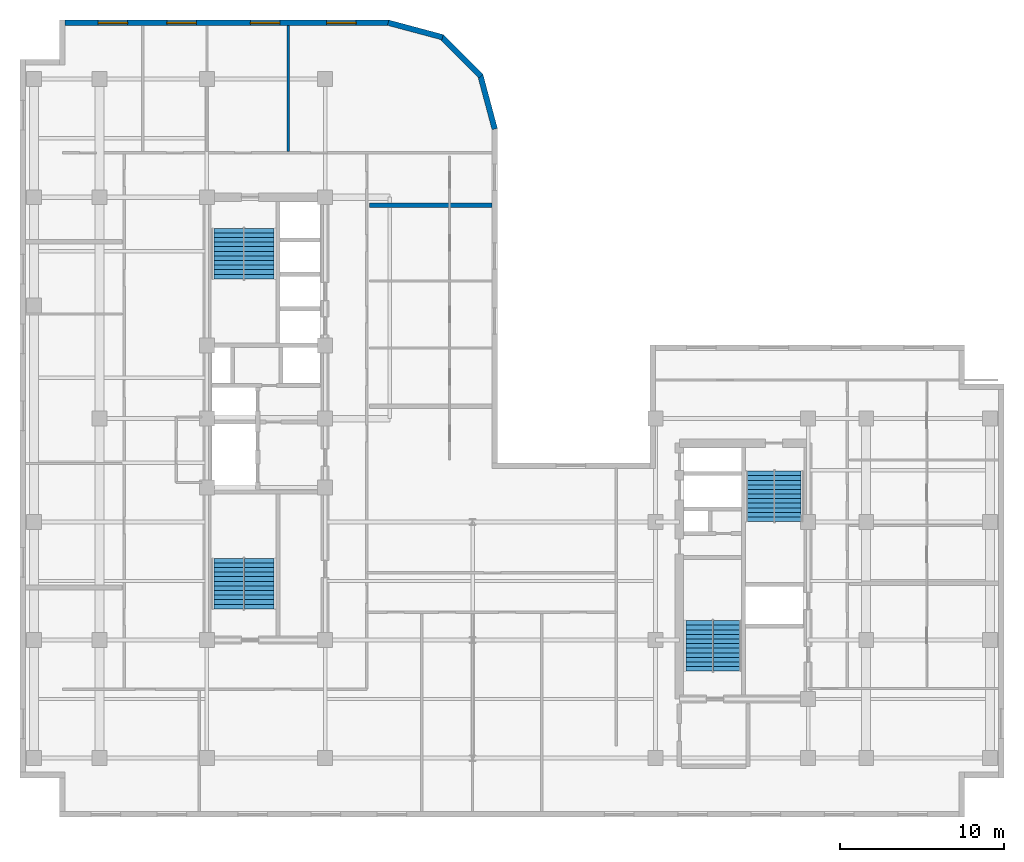
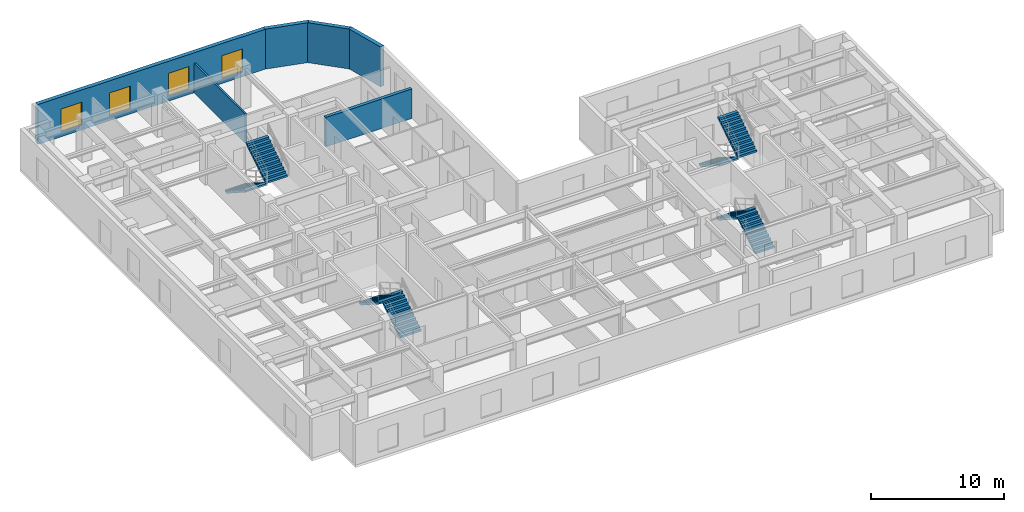
# One storey, part 8 of 11: 8 stair flights, 6 walls, 4 windows, 4 openings, 4 elements without a shape of their own.
"""IFC4 building model written with IfcOpenShell, lengths in metres."""

from ifc_helpers import new_model, entity, si_unit, converted_unit, direction, frame, origin_with_axes, origin_2d_with_axis, place, context, subcontext, project, spatial, polyline, rectangle, outline, extrude, material, layer, layer_set, type_object, element, fill, aggregate, save


model = new_model("IFC4")

# Units and contexts
model_context = context("Model", 3, precision=1e-05, world=origin_with_axes(), true_north=direction((0.0, 1.0)))
body_context = subcontext(model_context, "Body", "Model", "MODEL_VIEW")
ifc_project = project(units=[si_unit("LENGTHUNIT", "METRE"), si_unit("AREAUNIT", "SQUARE_METRE"), si_unit("VOLUMEUNIT", "CUBIC_METRE"), converted_unit("PLANEANGLEUNIT", "DEGREE", entity("IfcPlaneAngleMeasure", 0.017453292519943295), si_unit("PLANEANGLEUNIT", "RADIAN"), dimensions=[0, 0, 0, 0, 0, 0, 0]), si_unit("MASSUNIT", "GRAM", prefix="KILO"), si_unit("THERMODYNAMICTEMPERATUREUNIT", "KELVIN")], contexts=[model_context])

# Site, building, storey
site_placement = place(None, origin_with_axes())
site = spatial("IfcSite", under=ifc_project, at=site_placement, CompositionType="ELEMENT")
building_placement = place(site_placement, origin_with_axes())
building = spatial("IfcBuilding", under=site, at=building_placement, Name="Varnlund Millrace Tower", CompositionType="ELEMENT")
storey_placement = place(building_placement, frame((0.0, 0.0, 200.4), z_axis=(0.0, 0.0, 1.0), x_axis=(1.0, 0.0, 0.0)))
storey = spatial("IfcBuildingStorey", under=building, at=storey_placement, Name="L49", CompositionType="ELEMENT", Elevation=200.4)

# Wall, openings, windows
ifc_material_1 = material(Name="Precast concrete C50/60", Category="concrete")
ifc_layer_1 = layer(ifc_material_1, 0.34, Name="Precast concrete C50/60")
ifc_layer_set_1 = layer_set([ifc_layer_1], Name="Precast concrete C50/60")
wall_type_1 = type_object("IfcWallType", Name="Type-ExtWall-Precast-Upper-340", PredefinedType="SOLIDWALL", material=ifc_layer_set_1)
wall_1_placement = place(storey_placement, frame((2.74, 48.43, 0.0), z_axis=(0.0, 0.0, 1.0), x_axis=(1.0, 0.0, 0.0)))
wall_1 = element("IfcWall", 1, at=wall_1_placement, inside=storey, type_object=wall_type_1, Name="Type-ExtWall-Precast-Upper-340", PredefinedType="SOLIDWALL", context=body_context, shape_type="SweptSolid", body=[
    extrude(outline(polyline([(0.0, -0.17), (19.772, -0.17), (19.772, 0.17), (0.0, 0.17), (0.0, -0.17)])), origin_with_axes(), (0.0, 0.0, 1.0), 3.66),
])
opening_1_placement = place(wall_1_placement, frame((2.922, 0.0, 0.45), z_axis=(0.0, 0.0, 1.0), x_axis=(1.0, 0.0, 0.0)))
opening_1 = element("IfcOpeningElement", 2, at=opening_1_placement, cuts=wall_1, Name="Opening L49:WN-22", PredefinedType="OPENING", context=body_context, shape_type="SweptSolid", body=[
    extrude(rectangle(XDim=1.8, YDim=0.36, at=origin_2d_with_axis()), origin_with_axes(), (0.0, 0.0, 1.0), 2.1),
])
opening_2_placement = place(wall_1_placement, frame((7.114, 0.0, 0.45), z_axis=(0.0, 0.0, 1.0), x_axis=(1.0, 0.0, 0.0)))
opening_2 = element("IfcOpeningElement", 3, at=opening_2_placement, cuts=wall_1, Name="Opening L49:WN-23", PredefinedType="OPENING", context=body_context, shape_type="SweptSolid", body=[
    extrude(rectangle(XDim=1.8, YDim=0.36, at=origin_2d_with_axis()), origin_with_axes(), (0.0, 0.0, 1.0), 2.1),
])
opening_3_placement = place(wall_1_placement, frame((12.207, 0.0, 0.45), z_axis=(0.0, 0.0, 1.0), x_axis=(1.0, 0.0, 0.0)))
opening_3 = element("IfcOpeningElement", 4, at=opening_3_placement, cuts=wall_1, Name="Opening L49:WN-24", PredefinedType="OPENING", context=body_context, shape_type="SweptSolid", body=[
    extrude(rectangle(XDim=1.8, YDim=0.36, at=origin_2d_with_axis()), origin_with_axes(), (0.0, 0.0, 1.0), 2.1),
])
opening_4_placement = place(wall_1_placement, frame((16.85, 0.0, 0.45), z_axis=(0.0, 0.0, 1.0), x_axis=(1.0, 0.0, 0.0)))
opening_4 = element("IfcOpeningElement", 5, at=opening_4_placement, cuts=wall_1, Name="Opening L49:WN-25", PredefinedType="OPENING", context=body_context, shape_type="SweptSolid", body=[
    extrude(rectangle(XDim=1.8, YDim=0.36, at=origin_2d_with_axis()), origin_with_axes(), (0.0, 0.0, 1.0), 2.1),
])
ifc_material_2 = material(Name="Argon low-e triple glazing in thermally broken bronze frame", Category="glass")
window_type = type_object("IfcWindowType", Name="Type-Window-Punched-1800X2100", PartitioningType="SINGLE_PANEL", PredefinedType="WINDOW", material=ifc_material_2)
window_1_placement = place(wall_1_placement, frame((2.922, 0.0, 0.45), z_axis=(0.0, 0.0, 1.0), x_axis=(1.0, 0.0, 0.0)))
window_1 = element("IfcWindow", 6, at=window_1_placement, inside=storey, type_object=window_type, Name="Type-Window-Punched-1800X2100", OverallHeight=2.1, OverallWidth=1.8, PredefinedType="WINDOW", context=body_context, shape_type="SweptSolid", body=[
    extrude(rectangle(XDim=1.8, YDim=0.09, at=origin_2d_with_axis()), origin_with_axes(), (0.0, 0.0, 1.0), 2.1),
])
fill(opening_1, window_1)
window_2_placement = place(wall_1_placement, frame((7.114, 0.0, 0.45), z_axis=(0.0, 0.0, 1.0), x_axis=(1.0, 0.0, 0.0)))
window_2 = element("IfcWindow", 7, at=window_2_placement, inside=storey, type_object=window_type, Name="Type-Window-Punched-1800X2100", OverallHeight=2.1, OverallWidth=1.8, PredefinedType="WINDOW", context=body_context, shape_type="SweptSolid", body=[
    extrude(rectangle(XDim=1.8, YDim=0.09, at=origin_2d_with_axis()), origin_with_axes(), (0.0, 0.0, 1.0), 2.1),
])
fill(opening_2, window_2)
window_3_placement = place(wall_1_placement, frame((12.207, 0.0, 0.45), z_axis=(0.0, 0.0, 1.0), x_axis=(1.0, 0.0, 0.0)))
window_3 = element("IfcWindow", 8, at=window_3_placement, inside=storey, type_object=window_type, Name="Type-Window-Punched-1800X2100", OverallHeight=2.1, OverallWidth=1.8, PredefinedType="WINDOW", context=body_context, shape_type="SweptSolid", body=[
    extrude(rectangle(XDim=1.8, YDim=0.09, at=origin_2d_with_axis()), origin_with_axes(), (0.0, 0.0, 1.0), 2.1),
])
fill(opening_3, window_3)
window_4_placement = place(wall_1_placement, frame((16.85, 0.0, 0.45), z_axis=(0.0, 0.0, 1.0), x_axis=(1.0, 0.0, 0.0)))
window_4 = element("IfcWindow", 9, at=window_4_placement, inside=storey, type_object=window_type, Name="Type-Window-Punched-1800X2100", OverallHeight=2.1, OverallWidth=1.8, PredefinedType="WINDOW", context=body_context, shape_type="SweptSolid", body=[
    extrude(rectangle(XDim=1.8, YDim=0.09, at=origin_2d_with_axis()), origin_with_axes(), (0.0, 0.0, 1.0), 2.1),
])
fill(opening_4, window_4)

# Walls
wall_2_placement = place(storey_placement, frame((22.449, 48.441, 0.0), z_axis=(0.0, 0.0, 1.0), x_axis=(0.965949, -0.258731, 0.0)))
element("IfcWall", 10, at=wall_2_placement, inside=storey, type_object=wall_type_1, Name="Type-ExtWall-Precast-Upper-340", PredefinedType="SOLIDWALL", context=body_context, shape_type="SweptSolid", body=[
    extrude(outline(polyline([(0.0, -0.17), (3.435998, -0.17), (3.435998, 0.17), (0.0, 0.17), (0.0, -0.17)])), origin_with_axes(), (0.0, 0.0, 1.0), 3.66),
])
wall_3_placement = place(storey_placement, frame((25.678, 47.61, 0.0), z_axis=(0.0, 0.0, 1.0), x_axis=(0.707107, -0.707107, 0.0)))
element("IfcWall", 11, at=wall_3_placement, inside=storey, type_object=wall_type_1, Name="Type-ExtWall-Precast-Upper-340", PredefinedType="SOLIDWALL", context=body_context, shape_type="SweptSolid", body=[
    extrude(outline(polyline([(0.0, -0.17), (3.436539, -0.17), (3.436539, 0.17), (0.0, 0.17), (0.0, -0.17)])), origin_with_axes(), (0.0, 0.0, 1.0), 3.66),
])
wall_4_placement = place(storey_placement, frame((28.059, 45.275, 0.0), z_axis=(0.0, 0.0, 1.0), x_axis=(0.258731, -0.965949, 0.0)))
element("IfcWall", 12, at=wall_4_placement, inside=storey, type_object=wall_type_1, Name="Type-ExtWall-Precast-Upper-340", PredefinedType="SOLIDWALL", context=body_context, shape_type="SweptSolid", body=[
    extrude(outline(polyline([(0.0, -0.17), (3.435998, -0.17), (3.435998, 0.17), (0.0, 0.17), (0.0, -0.17)])), origin_with_axes(), (0.0, 0.0, 1.0), 3.66),
])
ifc_material_3 = material(Name="Double-stud STC-60 conference acoustic partition", Category="gypsum")
ifc_layer_2 = layer(ifc_material_3, 0.28, Name="Double-stud STC-60 conference acoustic partition")
ifc_layer_set_2 = layer_set([ifc_layer_2], Name="Double-stud STC-60 conference acoustic partition")
wall_type_2 = type_object("IfcWallType", Name="Type-Partition-Acoustic-280", PredefinedType="PARTITIONING", material=ifc_layer_set_2)
wall_5_placement = place(storey_placement, frame((21.3, 37.314, 0.0), z_axis=(0.0, 0.0, 1.0), x_axis=(1.0, 0.0, 0.0)))
element("IfcWall", 13, at=wall_5_placement, inside=storey, type_object=wall_type_2, Name="Type-Partition-Acoustic-280", PredefinedType="PARTITIONING", context=body_context, shape_type="SweptSolid", body=[
    extrude(outline(polyline([(0.0, -0.14), (7.477, -0.14), (7.477, 0.14), (0.0, 0.14), (0.0, -0.14)])), origin_with_axes(), (0.0, 0.0, 1.0), 2.7),
])
ifc_material_4 = material(Name="Acoustic STC-50 gypsum board partition", Category="gypsum")
ifc_layer_3 = layer(ifc_material_4, 0.15, Name="Acoustic STC-50 gypsum board partition")
ifc_layer_set_3 = layer_set([ifc_layer_3], Name="Acoustic STC-50 gypsum board partition")
wall_type_3 = type_object("IfcWallType", Name="Type-Partition-Demising-150", PredefinedType="PARTITIONING", material=ifc_layer_set_3)
wall_6_placement = place(storey_placement, frame((16.352, 40.6, 0.0), z_axis=(0.0, 0.0, 1.0), x_axis=(0.0, 1.0, 0.0)))
element("IfcWall", 14, at=wall_6_placement, inside=storey, type_object=wall_type_3, Name="Type-Partition-Demising-150", PredefinedType="PARTITIONING", context=body_context, shape_type="SweptSolid", body=[
    extrude(outline(polyline([(0.0, -0.075), (7.665, -0.075), (7.665, 0.075), (0.0, 0.075), (0.0, -0.075)])), origin_with_axes(), (0.0, 0.0, 1.0), 2.7),
])

# Stair, stair flights
ifc_material_5 = material(Name="Concrete C50/60", Category="concrete")
stair_type_1 = type_object("IfcStairType", Name="Type-Stair-Dogleg-165-390", PredefinedType="HALF_TURN_STAIR", material=ifc_material_5)
stair_1_placement = place(storey_placement, origin_with_axes())
stair_1 = element("IfcStair", 15, at=stair_1_placement, inside=storey, type_object=stair_type_1, Name="Type-Stair-Dogleg-165-390", PredefinedType="HALF_TURN_STAIR")
stair_flight_type_1 = type_object("IfcStairFlightType", Name="Type-Dogleg-Run-165-390", PredefinedType="STRAIGHT", material=ifc_material_1)
stair_flight_1_placement = place(storey_placement, frame((42.225, 8.9, 0.0), z_axis=(1.0, 0.0, 0.0), x_axis=(0.0, 1.0, 0.0)))
stair_flight_1 = element("IfcStairFlight", 16, at=stair_flight_1_placement, type_object=stair_flight_type_1, Name="ST-B1 flight 1", NumberOfRisers=11, NumberOfTreads=11, PredefinedType="STRAIGHT", RiserHeight=0.177273, TreadLength=0.28, context=body_context, shape_type="SweptSolid", body=[
    extrude(outline(polyline([(0.0, 0.0), (0.0, 0.177273), (0.28, 0.177273), (0.28, 0.354545), (0.56, 0.354545), (0.56, 0.531818), (0.84, 0.531818), (0.84, 0.709091), (1.12, 0.709091), (1.12, 0.886364), (1.4, 0.886364), (1.4, 1.063636), (1.68, 1.063636), (1.68, 1.240909), (1.96, 1.240909), (1.96, 1.418182), (2.24, 1.418182), (2.24, 1.595454), (2.52, 1.595454), (2.52, 1.772727), (2.8, 1.772727), (2.8, 1.95), (3.08, 1.95), (3.08, 1.8), (0.28, 0.0), (0.0, 0.0)])), origin_with_axes(), (0.0, 0.0, 1.0), 1.65),
])
stair_flight_2_placement = place(storey_placement, frame((42.275, 11.98, 1.95), z_axis=(-1.0, 0.0, 0.0), x_axis=(0.0, -1.0, 0.0)))
stair_flight_2 = element("IfcStairFlight", 17, at=stair_flight_2_placement, type_object=stair_flight_type_1, Name="ST-B1 flight 2", NumberOfRisers=11, NumberOfTreads=11, PredefinedType="STRAIGHT", RiserHeight=0.177273, TreadLength=0.28, context=body_context, shape_type="SweptSolid", body=[
    extrude(outline(polyline([(0.0, 0.0), (0.0, 0.177273), (0.28, 0.177273), (0.28, 0.354545), (0.56, 0.354545), (0.56, 0.531818), (0.84, 0.531818), (0.84, 0.709091), (1.12, 0.709091), (1.12, 0.886364), (1.4, 0.886364), (1.4, 1.063636), (1.68, 1.063636), (1.68, 1.240909), (1.96, 1.240909), (1.96, 1.418182), (2.24, 1.418182), (2.24, 1.595454), (2.52, 1.595454), (2.52, 1.772727), (2.8, 1.772727), (2.8, 1.95), (3.08, 1.95), (3.08, 1.8), (0.28, 0.0), (0.0, 0.0)])), origin_with_axes(), (0.0, 0.0, 1.0), 1.65),
])
aggregate(stair_1, [stair_flight_1, stair_flight_2])

stair_2_placement = place(storey_placement, origin_with_axes())
stair_2 = element("IfcStair", 18, at=stair_2_placement, inside=storey, type_object=stair_type_1, Name="Type-Stair-Dogleg-165-390", PredefinedType="HALF_TURN_STAIR")
stair_flight_3_placement = place(storey_placement, frame((46.025, 21.1, 0.0), z_axis=(-1.0, 0.0, 0.0), x_axis=(0.0, -1.0, 0.0)))
stair_flight_3 = element("IfcStairFlight", 19, at=stair_flight_3_placement, type_object=stair_flight_type_1, Name="ST-B2 flight 1", NumberOfRisers=11, NumberOfTreads=11, PredefinedType="STRAIGHT", RiserHeight=0.177273, TreadLength=0.28, context=body_context, shape_type="SweptSolid", body=[
    extrude(outline(polyline([(0.0, 0.0), (0.0, 0.177273), (0.28, 0.177273), (0.28, 0.354545), (0.56, 0.354545), (0.56, 0.531818), (0.84, 0.531818), (0.84, 0.709091), (1.12, 0.709091), (1.12, 0.886364), (1.4, 0.886364), (1.4, 1.063636), (1.68, 1.063636), (1.68, 1.240909), (1.96, 1.240909), (1.96, 1.418182), (2.24, 1.418182), (2.24, 1.595454), (2.52, 1.595454), (2.52, 1.772727), (2.8, 1.772727), (2.8, 1.95), (3.08, 1.95), (3.08, 1.8), (0.28, 0.0), (0.0, 0.0)])), origin_with_axes(), (0.0, 0.0, 1.0), 1.65),
])
stair_flight_4_placement = place(storey_placement, frame((45.975, 18.02, 1.95), z_axis=(1.0, 0.0, 0.0), x_axis=(0.0, 1.0, 0.0)))
stair_flight_4 = element("IfcStairFlight", 20, at=stair_flight_4_placement, type_object=stair_flight_type_1, Name="ST-B2 flight 2", NumberOfRisers=11, NumberOfTreads=11, PredefinedType="STRAIGHT", RiserHeight=0.177273, TreadLength=0.28, context=body_context, shape_type="SweptSolid", body=[
    extrude(outline(polyline([(0.0, 0.0), (0.0, 0.177273), (0.28, 0.177273), (0.28, 0.354545), (0.56, 0.354545), (0.56, 0.531818), (0.84, 0.531818), (0.84, 0.709091), (1.12, 0.709091), (1.12, 0.886364), (1.4, 0.886364), (1.4, 1.063636), (1.68, 1.063636), (1.68, 1.240909), (1.96, 1.240909), (1.96, 1.418182), (2.24, 1.418182), (2.24, 1.595454), (2.52, 1.595454), (2.52, 1.772727), (2.8, 1.772727), (2.8, 1.95), (3.08, 1.95), (3.08, 1.8), (0.28, 0.0), (0.0, 0.0)])), origin_with_axes(), (0.0, 0.0, 1.0), 1.65),
])
aggregate(stair_2, [stair_flight_3, stair_flight_4])

stair_type_2 = type_object("IfcStairType", Name="Type-Stair-Dogleg-185-390", PredefinedType="HALF_TURN_STAIR", material=ifc_material_5)
stair_3_placement = place(storey_placement, origin_with_axes())
stair_3 = element("IfcStair", 21, at=stair_3_placement, inside=storey, type_object=stair_type_2, Name="Type-Stair-Dogleg-185-390", PredefinedType="HALF_TURN_STAIR")
stair_flight_type_2 = type_object("IfcStairFlightType", Name="Type-Dogleg-Run-185-390", PredefinedType="STRAIGHT", material=ifc_material_1)
stair_flight_5_placement = place(storey_placement, frame((13.625, 12.7, 0.0), z_axis=(1.0, 0.0, 0.0), x_axis=(0.0, 1.0, 0.0)))
stair_flight_5 = element("IfcStairFlight", 22, at=stair_flight_5_placement, type_object=stair_flight_type_2, Name="ST-A1 flight 1", NumberOfRisers=11, NumberOfTreads=11, PredefinedType="STRAIGHT", RiserHeight=0.177273, TreadLength=0.28, context=body_context, shape_type="SweptSolid", body=[
    extrude(outline(polyline([(0.0, 0.0), (0.0, 0.177273), (0.28, 0.177273), (0.28, 0.354545), (0.56, 0.354545), (0.56, 0.531818), (0.84, 0.531818), (0.84, 0.709091), (1.12, 0.709091), (1.12, 0.886364), (1.4, 0.886364), (1.4, 1.063636), (1.68, 1.063636), (1.68, 1.240909), (1.96, 1.240909), (1.96, 1.418182), (2.24, 1.418182), (2.24, 1.595454), (2.52, 1.595454), (2.52, 1.772727), (2.8, 1.772727), (2.8, 1.95), (3.08, 1.95), (3.08, 1.8), (0.28, 0.0), (0.0, 0.0)])), origin_with_axes(), (0.0, 0.0, 1.0), 1.85),
])
stair_flight_6_placement = place(storey_placement, frame((13.675, 15.78, 1.95), z_axis=(-1.0, 0.0, 0.0), x_axis=(0.0, -1.0, 0.0)))
stair_flight_6 = element("IfcStairFlight", 23, at=stair_flight_6_placement, type_object=stair_flight_type_2, Name="ST-A1 flight 2", NumberOfRisers=11, NumberOfTreads=11, PredefinedType="STRAIGHT", RiserHeight=0.177273, TreadLength=0.28, context=body_context, shape_type="SweptSolid", body=[
    extrude(outline(polyline([(0.0, 0.0), (0.0, 0.177273), (0.28, 0.177273), (0.28, 0.354545), (0.56, 0.354545), (0.56, 0.531818), (0.84, 0.531818), (0.84, 0.709091), (1.12, 0.709091), (1.12, 0.886364), (1.4, 0.886364), (1.4, 1.063636), (1.68, 1.063636), (1.68, 1.240909), (1.96, 1.240909), (1.96, 1.418182), (2.24, 1.418182), (2.24, 1.595454), (2.52, 1.595454), (2.52, 1.772727), (2.8, 1.772727), (2.8, 1.95), (3.08, 1.95), (3.08, 1.8), (0.28, 0.0), (0.0, 0.0)])), origin_with_axes(), (0.0, 0.0, 1.0), 1.85),
])
aggregate(stair_3, [stair_flight_5, stair_flight_6])

stair_4_placement = place(storey_placement, origin_with_axes())
stair_4 = element("IfcStair", 24, at=stair_4_placement, inside=storey, type_object=stair_type_2, Name="Type-Stair-Dogleg-185-390", PredefinedType="HALF_TURN_STAIR")
stair_flight_7_placement = place(storey_placement, frame((13.675, 35.9, 0.0), z_axis=(-1.0, 0.0, 0.0), x_axis=(0.0, -1.0, 0.0)))
stair_flight_7 = element("IfcStairFlight", 25, at=stair_flight_7_placement, type_object=stair_flight_type_2, Name="ST-A2 flight 1", NumberOfRisers=11, NumberOfTreads=11, PredefinedType="STRAIGHT", RiserHeight=0.177273, TreadLength=0.28, context=body_context, shape_type="SweptSolid", body=[
    extrude(outline(polyline([(0.0, 0.0), (0.0, 0.177273), (0.28, 0.177273), (0.28, 0.354545), (0.56, 0.354545), (0.56, 0.531818), (0.84, 0.531818), (0.84, 0.709091), (1.12, 0.709091), (1.12, 0.886364), (1.4, 0.886364), (1.4, 1.063636), (1.68, 1.063636), (1.68, 1.240909), (1.96, 1.240909), (1.96, 1.418182), (2.24, 1.418182), (2.24, 1.595454), (2.52, 1.595454), (2.52, 1.772727), (2.8, 1.772727), (2.8, 1.95), (3.08, 1.95), (3.08, 1.8), (0.28, 0.0), (0.0, 0.0)])), origin_with_axes(), (0.0, 0.0, 1.0), 1.85),
])
stair_flight_8_placement = place(storey_placement, frame((13.625, 32.82, 1.95), z_axis=(1.0, 0.0, 0.0), x_axis=(0.0, 1.0, 0.0)))
stair_flight_8 = element("IfcStairFlight", 26, at=stair_flight_8_placement, type_object=stair_flight_type_2, Name="ST-A2 flight 2", NumberOfRisers=11, NumberOfTreads=11, PredefinedType="STRAIGHT", RiserHeight=0.177273, TreadLength=0.28, context=body_context, shape_type="SweptSolid", body=[
    extrude(outline(polyline([(0.0, 0.0), (0.0, 0.177273), (0.28, 0.177273), (0.28, 0.354545), (0.56, 0.354545), (0.56, 0.531818), (0.84, 0.531818), (0.84, 0.709091), (1.12, 0.709091), (1.12, 0.886364), (1.4, 0.886364), (1.4, 1.063636), (1.68, 1.063636), (1.68, 1.240909), (1.96, 1.240909), (1.96, 1.418182), (2.24, 1.418182), (2.24, 1.595454), (2.52, 1.595454), (2.52, 1.772727), (2.8, 1.772727), (2.8, 1.95), (3.08, 1.95), (3.08, 1.8), (0.28, 0.0), (0.0, 0.0)])), origin_with_axes(), (0.0, 0.0, 1.0), 1.85),
])
aggregate(stair_4, [stair_flight_7, stair_flight_8])

save(model, "model.ifc")
